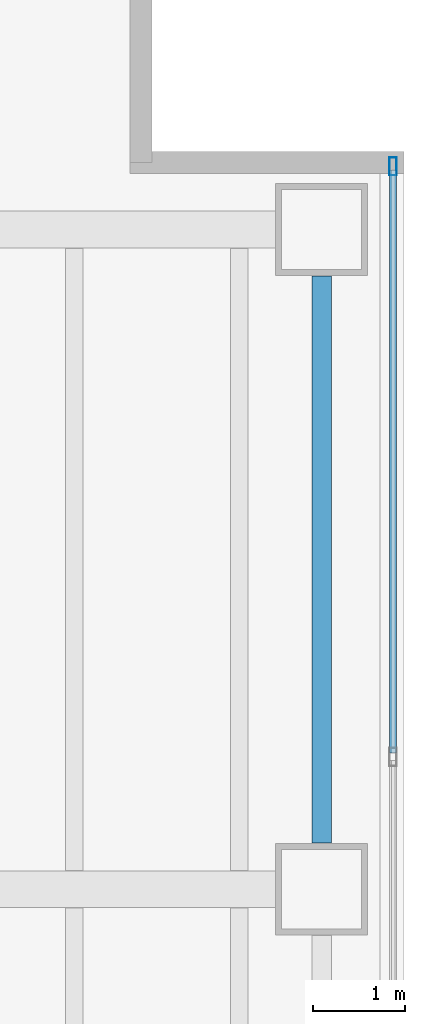
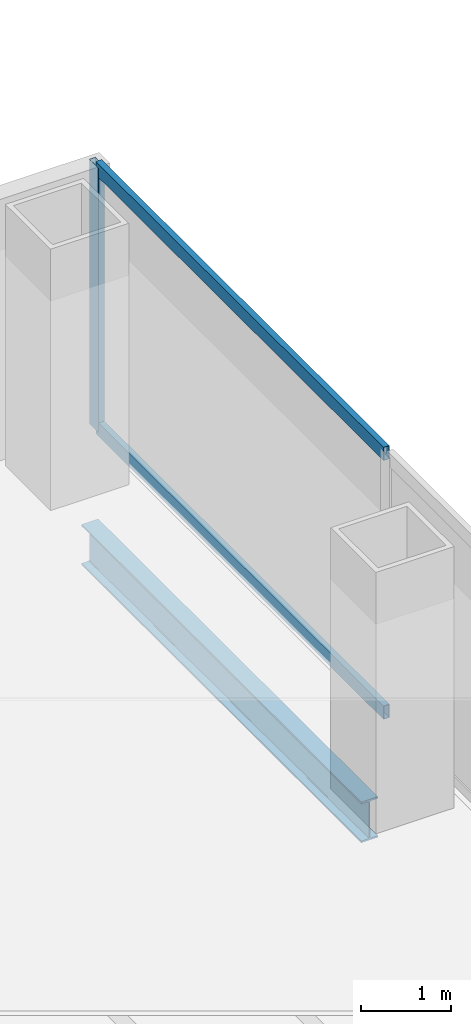
# One storey, part 13 of 24: 3 members, 1 beam, 1 element without a shape of its own.
"""IFC4 building model written with IfcOpenShell, lengths in metres."""

from ifc_helpers import new_model, si_unit, direction, frame, origin, origin_2d, place, context, subcontext, project, spatial, hollow_rectangle, i_section, extrude, material, material_profile, profile_set, type_object, element, aggregate, save


model = new_model("IFC4")

# Units and contexts
model_context = context("Model", 3, precision=1e-05, world=origin(), true_north=direction((0.0, 1.0)))
body_context = subcontext(model_context, "Body", "Model", "MODEL_VIEW")
ifc_project = project(units=[si_unit("LENGTHUNIT", "METRE"), si_unit("AREAUNIT", "SQUARE_METRE"), si_unit("VOLUMEUNIT", "CUBIC_METRE"), si_unit("PLANEANGLEUNIT", "RADIAN"), si_unit("MASSUNIT", "GRAM", prefix="KILO")], contexts=[model_context])

# Site, building, storey
site_placement = place(None, origin())
site = spatial("IfcSite", under=ifc_project, at=site_placement, CompositionType="ELEMENT")
building_placement = place(site_placement, origin())
building = spatial("IfcBuilding", under=site, at=building_placement, Name="Cobrela Telecom Tower", CompositionType="ELEMENT")
storey_placement = place(building_placement, frame((0.0, 0.0, 69.64990234375)))
storey = spatial("IfcBuildingStorey", under=building, at=storey_placement, Name="L17", CompositionType="ELEMENT", Elevation=69.64990234375)

# Beam
ifc_material_1 = material(Name="Steel ASTM A992 Grade 50", Category="steel")
ifc_material_profile_1 = material_profile(ifc_material_1, i_section(OverallWidth=0.212890625, OverallDepth=0.549072265625, WebThickness=0.0146484375, FlangeThickness=0.023681640625, FilletRadius=0.013916015625, at=origin_2d()), Name="W21X93")
ifc_profile_set_1 = profile_set([ifc_material_profile_1], Name="Steel ASTM A992 Grade 50")
beam_type = type_object("IfcBeamType", Name="BM-SPAND-03", PredefinedType="SPANDREL", material=ifc_profile_set_1)
beam_placement = place(storey_placement, frame((49.5, 14.905029296875, -0.554443359375), z_axis=(0.0, 1.0, 0.0), x_axis=(-1.0, 0.0, 0.0)))
element("IfcBeam", 1, at=beam_placement, inside=storey, type_object=beam_type, Name="L17 Perimeter Spandrel Y57", PredefinedType="SPANDREL", context=body_context, shape_type="SweptSolid", body=[
    extrude(i_section(OverallWidth=0.212890625, OverallDepth=0.549072265625, WebThickness=0.0146484375, FlangeThickness=0.023681640625, FilletRadius=0.013916015625, at=origin_2d()), origin(), (0.0, 0.0, 1.0), 6.18994140625),
])

# Curtain wall, members
ifc_material_2 = material(Name="Anodized Bronze Aluminium 6063-T6", Category="aluminium")
curtain_wall_type = type_object("IfcCurtainWallType", Name="CW-SYS-DATA", PredefinedType="USERDEFINED", material=ifc_material_2)
curtain_wall_placement = place(storey_placement, origin())
curtain_wall = element("IfcCurtainWall", 2, at=curtain_wall_placement, inside=storey, type_object=curtain_wall_type, Name="L17 Unitised Bronze Curtain Wall 14", ObjectType="UNITISED CURTAIN WALL", PredefinedType="USERDEFINED")
ifc_material_profile_2 = material_profile(ifc_material_2, hollow_rectangle(XDim=0.080078125, YDim=0.199951171875, WallThickness=0.00390625, at=origin_2d()), Name="ALU 80x200x4")
ifc_profile_set_2 = profile_set([ifc_material_profile_2], Name="Anodized Bronze Aluminium 6063-T6")
member_type_1 = type_object("IfcMemberType", Name="CW-SYS-DATA-MUL", PredefinedType="MULLION", material=ifc_profile_set_2)
member_1_placement = place(storey_placement, frame((50.280029296875, 22.2900390625, 0.0), z_axis=(0.0, 0.0, 1.0), x_axis=(1.0, 0.0, 0.0)))
member_1 = element("IfcMember", 3, at=member_1_placement, type_object=member_type_1, Name="CW-DATA mullion 1", PredefinedType="MULLION", context=body_context, shape_type="SweptSolid", body=[
    extrude(hollow_rectangle(XDim=0.080078125, YDim=0.199951171875, WallThickness=0.00390625, at=origin_2d()), origin(), (0.0, 0.0, 1.0), 3.570068359375),
])
ifc_material_profile_3 = material_profile(ifc_material_2, hollow_rectangle(XDim=0.074951171875, YDim=0.179931640625, WallThickness=0.00390625, at=origin_2d()), Name="ALU 75x180x4")
ifc_profile_set_3 = profile_set([ifc_material_profile_3], Name="Anodized Bronze Aluminium 6063-T6")
member_type_2 = type_object("IfcMemberType", Name="CW-SYS-DATA-TRN", PredefinedType="USERDEFINED", material=ifc_profile_set_3)
member_2_placement = place(storey_placement, frame((50.280029296875, 22.25, 0.03759765625), z_axis=(0.0, -1.0, 0.0), x_axis=(1.0, 0.0, 0.0)))
member_2 = element("IfcMember", 4, at=member_2_placement, type_object=member_type_2, Name="CW-DATA transom 1.1", ObjectType="TRANSOM", PredefinedType="USERDEFINED", context=body_context, shape_type="SweptSolid", body=[
    extrude(hollow_rectangle(XDim=0.074951171875, YDim=0.179931640625, WallThickness=0.00390625, at=origin_2d()), origin(), (0.0, 0.0, 1.0), 6.36669921875),
])
member_3_placement = place(storey_placement, frame((50.280029296875, 22.25, 3.53271484375), z_axis=(0.0, -1.0, 0.0), x_axis=(1.0, 0.0, 0.0)))
member_3 = element("IfcMember", 5, at=member_3_placement, type_object=member_type_2, Name="CW-DATA transom 1.2", ObjectType="TRANSOM", PredefinedType="USERDEFINED", context=body_context, shape_type="SweptSolid", body=[
    extrude(hollow_rectangle(XDim=0.074951171875, YDim=0.179931640625, WallThickness=0.00390625, at=origin_2d()), origin(), (0.0, 0.0, 1.0), 6.36669921875),
])
aggregate(curtain_wall, [member_1, member_2, member_3])

save(model, "model.ifc")
